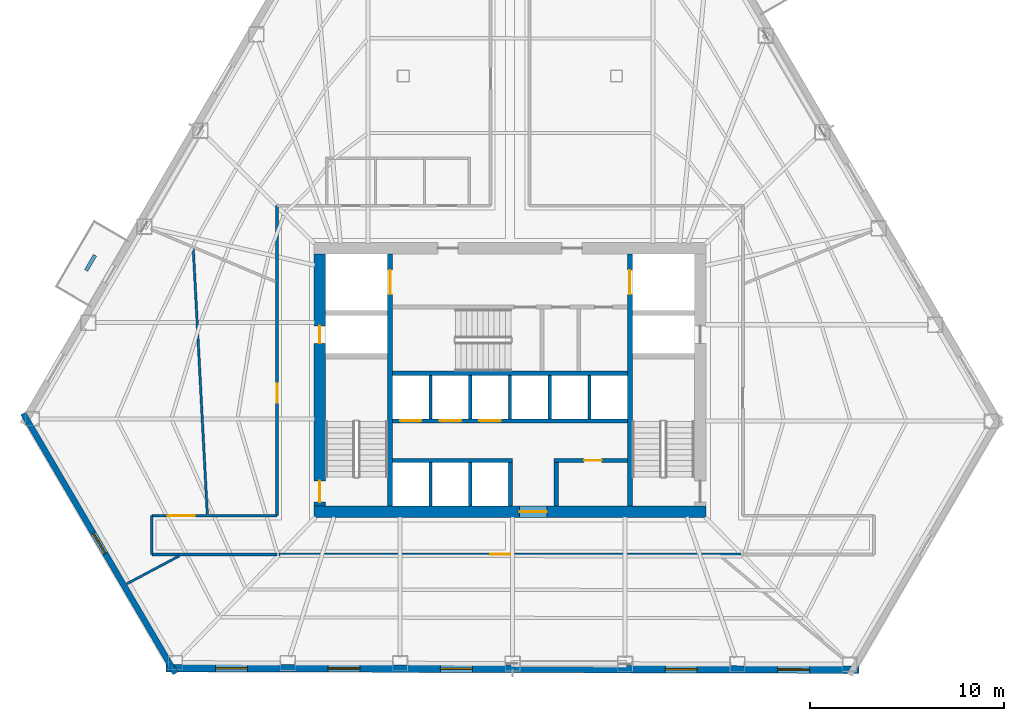
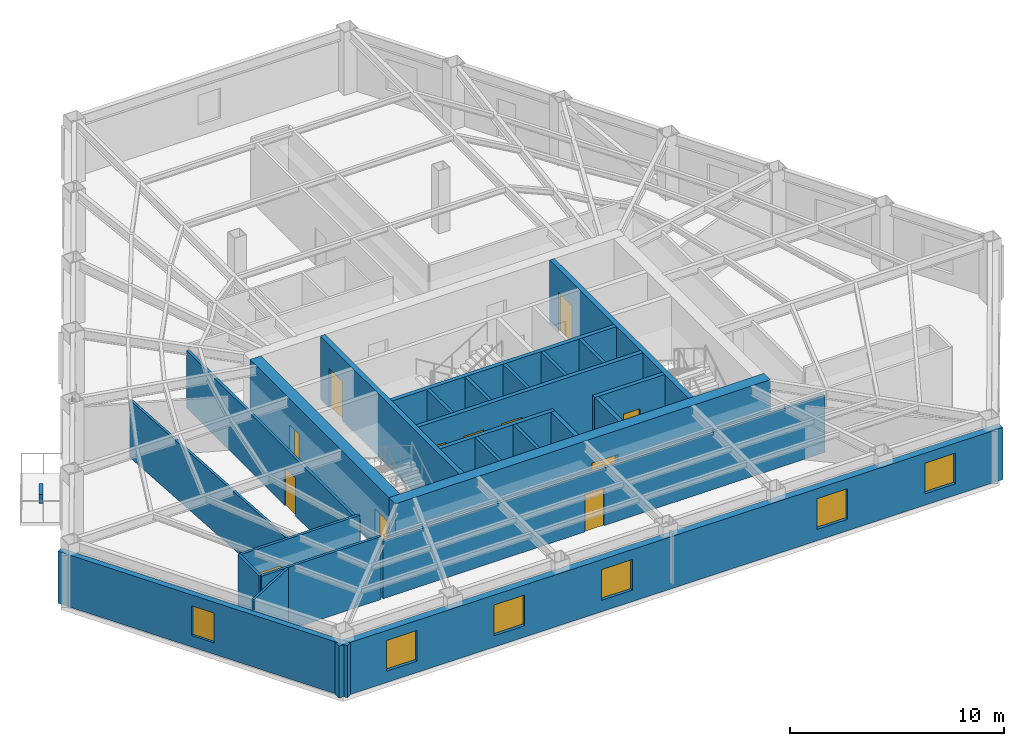
# One storey, part 6 of 11: 27 walls, 12 doors, 6 windows, 18 openings.
"""IFC4 building model written with IfcOpenShell, lengths in metres."""

from ifc_helpers import new_model, si_unit, direction, frame, frame_2d, origin, place, context, subcontext, project, spatial, rectangle, extrude, material, layer, layer_set, type_object, element, fill, save


model = new_model("IFC4")

# Units and contexts
model_context = context("Model", 3, precision=1e-05, world=origin(), true_north=direction((0.0, 1.0)))
body_context = subcontext(model_context, "Body", "Model", "MODEL_VIEW")
ifc_project = project(units=[si_unit("LENGTHUNIT", "METRE"), si_unit("AREAUNIT", "SQUARE_METRE"), si_unit("VOLUMEUNIT", "CUBIC_METRE"), si_unit("PLANEANGLEUNIT", "RADIAN"), si_unit("MASSUNIT", "GRAM", prefix="KILO")], contexts=[model_context])

# Site, building, storey
site_placement = place(None, origin())
site = spatial("IfcSite", under=ifc_project, at=site_placement, CompositionType="ELEMENT")
building_placement = place(site_placement, origin())
building = spatial("IfcBuilding", under=site, at=building_placement, Name="Kavelnor Concourse Tower", CompositionType="ELEMENT")
storey_placement = place(building_placement, frame((0.0, 0.0, 56.050048828125)))
storey = spatial("IfcBuildingStorey", under=building, at=storey_placement, Name="L14", CompositionType="ELEMENT", Elevation=56.050048828125)

# Wall, opening, door
ifc_material_1 = material(Name="Concrete C60/75", Category="concrete")
ifc_layer_1 = layer(ifc_material_1, 0.60009765625, Name="Concrete C60/75")
ifc_layer_set_1 = layer_set([ifc_layer_1], Name="Concrete C60/75")
wall_type_1 = type_object("IfcWallType", Name="WL-CORE-Z1-600", PredefinedType="SOLIDWALL", material=ifc_layer_set_1)
wall_1_placement = place(storey_placement, frame((27.8798828125, 9.300048828125, 0.0), z_axis=(0.0, 0.0, 1.0), x_axis=(1.0, 0.0, 0.0)))
wall_1 = element("IfcWall", 1, at=wall_1_placement, inside=storey, type_object=wall_type_1, Name="L14 Central Core South Shear Wall", PredefinedType="SOLIDWALL", context=body_context, shape_type="SweptSolid", body=[
    extrude(rectangle(XDim=20.240234375, YDim=0.60009765625, at=frame_2d((10.1201171875, 0.0))), origin(), (0.0, 0.0, 1.0), 3.58984375),
])
opening_1_placement = place(wall_1_placement, frame((10.6201171875, 0.0, 0.0)))
opening_1 = element("IfcOpeningElement", 2, at=opening_1_placement, cuts=wall_1, Name="Opening SD-140", PredefinedType="OPENING", context=body_context, shape_type="SweptSolid", body=[
    extrude(rectangle(XDim=1.39990234375, YDim=2.199951171875, at=frame_2d((0.699951171875, 1.10009765625))), frame((0.0, 0.31005859375, 0.0), z_axis=(0.0, -1.0, 0.0), x_axis=(1.0, 0.0, 0.0)), (0.0, 0.0, 1.0), 0.6201171875),
])
ifc_material_2 = material(Name="Solid-core hardwood timber", Category="wood")
door_type_1 = type_object("IfcDoorType", Name="DR-SUITE-ENTRY-1400", OperationType="NOTDEFINED", PredefinedType="DOOR", material=ifc_material_2)
door_1_placement = place(opening_1_placement, origin())
door_1 = element("IfcDoor", 3, at=door_1_placement, inside=storey, type_object=door_type_1, Name="L14 Passenger Lift Lobby Entry Door", OperationType="SINGLE_SWING_LEFT", OverallHeight=2.199951171875, OverallWidth=1.39990234375, PredefinedType="DOOR", context=body_context, shape_type="SweptSolid", body=[
    extrude(rectangle(XDim=1.39990234375, YDim=2.199951171875, at=frame_2d((0.699951171875, 1.10009765625))), frame((0.0, 0.02490234375, 0.0), z_axis=(0.0, -1.0, 0.0), x_axis=(1.0, 0.0, 0.0)), (0.0, 0.0, 1.0), 0.050048828125),
])
fill(opening_1, door_1)

# Wall, openings, doors
wall_2_placement = place(storey_placement, frame((28.179931640625, 9.60009765625, 0.0), z_axis=(0.0, 0.0, 1.0), x_axis=(0.0, 1.0, 0.0)))
wall_2 = element("IfcWall", 4, at=wall_2_placement, inside=storey, type_object=wall_type_1, Name="L14 Central Core West Shear Wall", PredefinedType="SOLIDWALL", context=body_context, shape_type="SweptSolid", body=[
    extrude(rectangle(XDim=13.0, YDim=0.60009765625, at=frame_2d((6.5, 0.0))), origin(), (0.0, 0.0, 1.0), 3.58984375),
])
opening_2_placement = place(wall_2_placement, frame((0.199951171875, 0.0, 0.0)))
opening_2 = element("IfcOpeningElement", 5, at=opening_2_placement, cuts=wall_2, Name="Opening FD-110", PredefinedType="OPENING", context=body_context, shape_type="SweptSolid", body=[
    extrude(rectangle(XDim=1.10009765625, YDim=2.14990234375, at=frame_2d((0.550048828125, 1.074951171875))), frame((0.0, 0.31005859375, 0.0), z_axis=(0.0, -1.0, 0.0), x_axis=(1.0, 0.0, 0.0)), (0.0, 0.0, 1.0), 0.6201171875),
])
opening_3_placement = place(wall_2_placement, frame((8.39990234375, 0.0, 0.0)))
opening_3 = element("IfcOpeningElement", 6, at=opening_3_placement, cuts=wall_2, Name="Opening FD-090", PredefinedType="OPENING", context=body_context, shape_type="SweptSolid", body=[
    extrude(rectangle(XDim=0.89990234375, YDim=2.10009765625, at=frame_2d((0.449951171875, 1.050048828125))), frame((0.0, 0.31005859375, 0.0), z_axis=(0.0, -1.0, 0.0), x_axis=(1.0, 0.0, 0.0)), (0.0, 0.0, 1.0), 0.6201171875),
])
ifc_material_3 = material(Name="Steel Grade 350", Category="steel")
door_type_2 = type_object("IfcDoorType", Name="DR-RISER-FIRE-900", OperationType="NOTDEFINED", PredefinedType="DOOR", material=ifc_material_3)
door_2_placement = place(opening_3_placement, origin())
door_2 = element("IfcDoor", 7, at=door_2_placement, inside=storey, type_object=door_type_2, Name="L14 West Riser Access Door", OperationType="SINGLE_SWING_RIGHT", OverallHeight=2.10009765625, OverallWidth=0.89990234375, PredefinedType="DOOR", context=body_context, shape_type="SweptSolid", body=[
    extrude(rectangle(XDim=0.89990234375, YDim=2.10009765625, at=frame_2d((0.449951171875, 1.050048828125))), frame((0.0, 0.02490234375, 0.0), z_axis=(0.0, -1.0, 0.0), x_axis=(1.0, 0.0, 0.0)), (0.0, 0.0, 1.0), 0.050048828125),
])
fill(opening_3, door_2)
door_type_3 = type_object("IfcDoorType", Name="DR-STAIR-FIRE-1100", OperationType="NOTDEFINED", PredefinedType="DOOR", material=ifc_material_3)
door_3_placement = place(opening_2_placement, origin())
door_3 = element("IfcDoor", 8, at=door_3_placement, inside=storey, type_object=door_type_3, Name="L14 Stair ST1 Fire Door", OperationType="SINGLE_SWING_LEFT", OverallHeight=2.14990234375, OverallWidth=1.10009765625, PredefinedType="DOOR", context=body_context, shape_type="SweptSolid", body=[
    extrude(rectangle(XDim=1.10009765625, YDim=2.14990234375, at=frame_2d((0.550048828125, 1.074951171875))), frame((0.0, 0.02490234375, 0.0), z_axis=(0.0, -1.0, 0.0), x_axis=(1.0, 0.0, 0.0)), (0.0, 0.0, 1.0), 0.050048828125),
])
fill(opening_2, door_3)

# Wall, opening, window
ifc_material_4 = material(Name="Buff ironspot clay face brick masonry", Category="masonry")
ifc_layer_2 = layer(ifc_material_4, 0.300048828125, Name="Buff ironspot clay face brick masonry")
ifc_layer_set_2 = layer_set([ifc_layer_2], Name="Buff ironspot clay face brick masonry")
wall_type_2 = type_object("IfcWallType", Name="WL-EXT-BUFF-BRICK-FOLD-300", PredefinedType="STANDARD", material=ifc_layer_set_2)
wall_3_placement = place(storey_placement, frame((20.730224609375, 0.956787109375, 0.0), z_axis=(0.0, 0.0, 1.0), x_axis=(-0.5053057827, 0.86294036061, 0.0)))
wall_3 = element("IfcWall", 9, at=wall_3_placement, inside=storey, type_object=wall_type_2, Name="L14 Exterior Brick Facade Wall E2", PredefinedType="STANDARD", context=body_context, shape_type="SweptSolid", body=[
    extrude(rectangle(XDim=15.5556640625, YDim=0.300048828125, at=frame_2d((7.77783203125, 0.0))), origin(), (0.0, 0.0, 1.0), 2.969970703125),
])
opening_4_placement = place(wall_3_placement, frame((7.177978515625, 0.0, 0.64990234375)))
opening_4 = element("IfcOpeningElement", 10, at=opening_4_placement, cuts=wall_3, Name="Opening W-05", PredefinedType="OPENING", context=body_context, shape_type="SweptSolid", body=[
    extrude(rectangle(XDim=1.199951171875, YDim=1.699951171875, at=frame_2d((0.60009765625, 0.85009765625))), frame((0.0, 0.16015625, 0.0), z_axis=(0.0, -1.0, 0.0), x_axis=(1.0, 0.0, 0.0)), (0.0, 0.0, 1.0), 0.320068359375),
])
ifc_material_5 = material(Name="Double low-E argon insulated glazing", Category="glass")
window_type_1 = type_object("IfcWindowType", Name="WIN-FOLD-1200", PartitioningType="SINGLE_PANEL", PredefinedType="WINDOW", material=ifc_material_5)
window_1_placement = place(opening_4_placement, origin())
window_1 = element("IfcWindow", 11, at=window_1_placement, inside=storey, type_object=window_type_1, Name="L14 Chamfer-Fold Facet Window C1", OverallHeight=1.699951171875, OverallWidth=1.199951171875, PartitioningType="SINGLE_PANEL", PredefinedType="WINDOW", context=body_context, shape_type="SweptSolid", body=[
    extrude(rectangle(XDim=1.199951171875, YDim=1.699951171875, at=frame_2d((0.60009765625, 0.85009765625))), frame((0.0, 0.030029296875, 0.0), z_axis=(0.0, -1.0, 0.0), x_axis=(1.0, 0.0, 0.0)), (0.0, 0.0, 1.0), 0.06005859375),
])
fill(opening_4, window_1)

# Wall, openings, windows
ifc_material_6 = material(Name="Red-ochre clay face brick masonry", Category="masonry")
ifc_layer_3 = layer(ifc_material_6, 0.3798828125, Name="Red-ochre clay face brick masonry")
ifc_layer_set_3 = layer_set([ifc_layer_3], Name="Red-ochre clay face brick masonry")
wall_type_3 = type_object("IfcWallType", Name="WL-EXT-RED-BRICK-PIER-380", PredefinedType="STANDARD", material=ifc_layer_set_3)
wall_4_placement = place(storey_placement, frame((56.021484375, 1.1494140625, 0.0), z_axis=(0.0, 0.0, 1.0), x_axis=(-0.999997228104, 0.00235452441, 0.0)))
wall_4 = element("IfcWall", 12, at=wall_4_placement, inside=storey, type_object=wall_type_3, Name="L14 Exterior Brick Facade Wall E3", PredefinedType="STANDARD", context=body_context, shape_type="SweptSolid", body=[
    extrude(rectangle(XDim=35.77294921875, YDim=0.3798828125, at=frame_2d((17.886474609375, 0.0))), origin(), (0.0, 0.0, 1.0), 2.969970703125),
])
opening_5_placement = place(wall_4_placement, frame((31.57177734375, 0.0, 0.64990234375)))
opening_5 = element("IfcOpeningElement", 13, at=opening_5_placement, cuts=wall_4, Name="Opening W-01", PredefinedType="OPENING", context=body_context, shape_type="SweptSolid", body=[
    extrude(rectangle(XDim=1.64990234375, YDim=1.75, at=frame_2d((0.824951171875, 0.875))), frame((0.0, 0.199951171875, 0.0), z_axis=(0.0, -1.0, 0.0), x_axis=(1.0, 0.0, 0.0)), (0.0, 0.0, 1.0), 0.39990234375),
])
opening_6_placement = place(wall_4_placement, frame((25.768310546875, 0.0, 0.64990234375)))
opening_6 = element("IfcOpeningElement", 14, at=opening_6_placement, cuts=wall_4, Name="Opening W-01", PredefinedType="OPENING", context=body_context, shape_type="SweptSolid", body=[
    extrude(rectangle(XDim=1.64990234375, YDim=1.75, at=frame_2d((0.824951171875, 0.875))), frame((0.0, 0.199951171875, 0.0), z_axis=(0.0, -1.0, 0.0), x_axis=(1.0, 0.0, 0.0)), (0.0, 0.0, 1.0), 0.39990234375),
])
opening_7_placement = place(wall_4_placement, frame((19.96435546875, 0.0, 0.64990234375)))
opening_7 = element("IfcOpeningElement", 15, at=opening_7_placement, cuts=wall_4, Name="Opening W-01", PredefinedType="OPENING", context=body_context, shape_type="SweptSolid", body=[
    extrude(rectangle(XDim=1.64990234375, YDim=1.75, at=frame_2d((0.824951171875, 0.875))), frame((0.0, 0.199951171875, 0.0), z_axis=(0.0, -1.0, 0.0), x_axis=(1.0, 0.0, 0.0)), (0.0, 0.0, 1.0), 0.39990234375),
])
opening_8_placement = place(wall_4_placement, frame((8.357177734375, 0.0, 0.64990234375)))
opening_8 = element("IfcOpeningElement", 16, at=opening_8_placement, cuts=wall_4, Name="Opening W-01", PredefinedType="OPENING", context=body_context, shape_type="SweptSolid", body=[
    extrude(rectangle(XDim=1.64990234375, YDim=1.75, at=frame_2d((0.824951171875, 0.875))), frame((0.0, 0.199951171875, 0.0), z_axis=(0.0, -1.0, 0.0), x_axis=(1.0, 0.0, 0.0)), (0.0, 0.0, 1.0), 0.39990234375),
])
opening_9_placement = place(wall_4_placement, frame((2.553466796875, 0.0, 0.64990234375)))
opening_9 = element("IfcOpeningElement", 17, at=opening_9_placement, cuts=wall_4, Name="Opening W-01", PredefinedType="OPENING", context=body_context, shape_type="SweptSolid", body=[
    extrude(rectangle(XDim=1.64990234375, YDim=1.75, at=frame_2d((0.824951171875, 0.875))), frame((0.0, 0.199951171875, 0.0), z_axis=(0.0, -1.0, 0.0), x_axis=(1.0, 0.0, 0.0)), (0.0, 0.0, 1.0), 0.39990234375),
])
window_type_2 = type_object("IfcWindowType", Name="WIN-PIER-Z1-1800", PartitioningType="SINGLE_PANEL", PredefinedType="WINDOW", material=ifc_material_5)
window_2_placement = place(opening_5_placement, origin())
window_2 = element("IfcWindow", 18, at=window_2_placement, inside=storey, type_object=window_type_2, Name="L14 Deep-Set Brick Pier Window F1-B0", OverallHeight=1.75, OverallWidth=1.64990234375, PartitioningType="SINGLE_PANEL", PredefinedType="WINDOW", context=body_context, shape_type="SweptSolid", body=[
    extrude(rectangle(XDim=1.64990234375, YDim=1.75, at=frame_2d((0.824951171875, 0.875))), frame((0.0, 0.030029296875, 0.0), z_axis=(0.0, -1.0, 0.0), x_axis=(1.0, 0.0, 0.0)), (0.0, 0.0, 1.0), 0.06005859375),
])
fill(opening_5, window_2)
window_3_placement = place(opening_6_placement, origin())
window_3 = element("IfcWindow", 19, at=window_3_placement, inside=storey, type_object=window_type_2, Name="L14 Deep-Set Brick Pier Window F1-B1", OverallHeight=1.75, OverallWidth=1.64990234375, PartitioningType="SINGLE_PANEL", PredefinedType="WINDOW", context=body_context, shape_type="SweptSolid", body=[
    extrude(rectangle(XDim=1.64990234375, YDim=1.75, at=frame_2d((0.824951171875, 0.875))), frame((0.0, 0.030029296875, 0.0), z_axis=(0.0, -1.0, 0.0), x_axis=(1.0, 0.0, 0.0)), (0.0, 0.0, 1.0), 0.06005859375),
])
fill(opening_6, window_3)
window_4_placement = place(opening_7_placement, origin())
window_4 = element("IfcWindow", 20, at=window_4_placement, inside=storey, type_object=window_type_2, Name="L14 Deep-Set Brick Pier Window F1-B2", OverallHeight=1.75, OverallWidth=1.64990234375, PartitioningType="SINGLE_PANEL", PredefinedType="WINDOW", context=body_context, shape_type="SweptSolid", body=[
    extrude(rectangle(XDim=1.64990234375, YDim=1.75, at=frame_2d((0.824951171875, 0.875))), frame((0.0, 0.030029296875, 0.0), z_axis=(0.0, -1.0, 0.0), x_axis=(1.0, 0.0, 0.0)), (0.0, 0.0, 1.0), 0.06005859375),
])
fill(opening_7, window_4)
window_5_placement = place(opening_8_placement, origin())
window_5 = element("IfcWindow", 21, at=window_5_placement, inside=storey, type_object=window_type_2, Name="L14 Deep-Set Brick Pier Window F1-B4", OverallHeight=1.75, OverallWidth=1.64990234375, PartitioningType="SINGLE_PANEL", PredefinedType="WINDOW", context=body_context, shape_type="SweptSolid", body=[
    extrude(rectangle(XDim=1.64990234375, YDim=1.75, at=frame_2d((0.824951171875, 0.875))), frame((0.0, 0.030029296875, 0.0), z_axis=(0.0, -1.0, 0.0), x_axis=(1.0, 0.0, 0.0)), (0.0, 0.0, 1.0), 0.06005859375),
])
fill(opening_8, window_5)
window_6_placement = place(opening_9_placement, origin())
window_6 = element("IfcWindow", 22, at=window_6_placement, inside=storey, type_object=window_type_2, Name="L14 Deep-Set Brick Pier Window F1-B5", OverallHeight=1.75, OverallWidth=1.64990234375, PartitioningType="SINGLE_PANEL", PredefinedType="WINDOW", context=body_context, shape_type="SweptSolid", body=[
    extrude(rectangle(XDim=1.64990234375, YDim=1.75, at=frame_2d((0.824951171875, 0.875))), frame((0.0, 0.030029296875, 0.0), z_axis=(0.0, -1.0, 0.0), x_axis=(1.0, 0.0, 0.0)), (0.0, 0.0, 1.0), 0.06005859375),
])
fill(opening_9, window_6)

# Wall, opening, door
ifc_material_7 = material(Name="Gypsum plasterboard on light-gauge steel studs", Category="steel")
ifc_layer_4 = layer(ifc_material_7, 0.14501953125, Name="Gypsum plasterboard on light-gauge steel studs")
ifc_layer_set_4 = layer_set([ifc_layer_4], Name="Gypsum plasterboard on light-gauge steel studs")
wall_type_4 = type_object("IfcWallType", Name="WL-INT-CORR-145", PredefinedType="PARTITIONING", material=ifc_layer_set_4)
wall_5_placement = place(storey_placement, frame((19.5078125, 9.10009765625, 0.0), z_axis=(0.0, 0.0, 1.0), x_axis=(1.0, 0.0, 0.0)))
wall_5 = element("IfcWall", 23, at=wall_5_placement, inside=storey, type_object=wall_type_4, Name="L14 Corridor Wall WL-L14-CR-01", PredefinedType="PARTITIONING", context=body_context, shape_type="SweptSolid", body=[
    extrude(rectangle(XDim=6.47216796875, YDim=0.14501953125, at=frame_2d((3.236083984375, 0.0))), origin(), (0.0, 0.0, 1.0), 3.58984375),
])
opening_10_placement = place(wall_5_placement, frame((0.8212890625, 0.0, 0.0)))
opening_10 = element("IfcOpeningElement", 24, at=opening_10_placement, cuts=wall_5, Name="Opening SD-140", PredefinedType="OPENING", context=body_context, shape_type="SweptSolid", body=[
    extrude(rectangle(XDim=1.39990234375, YDim=2.199951171875, at=frame_2d((0.699951171875, 1.10009765625))), frame((0.0, 0.08251953125, 0.0), z_axis=(0.0, -1.0, 0.0), x_axis=(1.0, 0.0, 0.0)), (0.0, 0.0, 1.0), 0.1650390625),
])
door_4_placement = place(opening_10_placement, origin())
door_4 = element("IfcDoor", 25, at=door_4_placement, inside=storey, type_object=door_type_1, Name="L14 Workplace Open Office 03 Door", OperationType="SINGLE_SWING_RIGHT", OverallHeight=2.199951171875, OverallWidth=1.39990234375, PredefinedType="DOOR", context=body_context, shape_type="SweptSolid", body=[
    extrude(rectangle(XDim=1.39990234375, YDim=2.199951171875, at=frame_2d((0.699951171875, 1.10009765625))), frame((0.0, 0.02490234375, 0.0), z_axis=(0.0, -1.0, 0.0), x_axis=(1.0, 0.0, 0.0)), (0.0, 0.0, 1.0), 0.050048828125),
])
fill(opening_10, door_4)

wall_6_placement = place(storey_placement, frame((25.97998046875, 9.10009765625, 0.0), z_axis=(0.0, 0.0, 1.0), x_axis=(0.0, 1.0, 0.0)))
wall_6 = element("IfcWall", 26, at=wall_6_placement, inside=storey, type_object=wall_type_4, Name="L14 Corridor Wall WL-L14-CR-02", PredefinedType="PARTITIONING", context=body_context, shape_type="SweptSolid", body=[
    extrude(rectangle(XDim=16.0, YDim=0.14501953125, at=frame_2d((8.0, 0.0))), origin(), (0.0, 0.0, 1.0), 3.27783203125),
])
opening_11_placement = place(wall_6_placement, frame((5.83251953125, 0.0, 0.0)))
opening_11 = element("IfcOpeningElement", 27, at=opening_11_placement, cuts=wall_6, Name="Opening OD-098", PredefinedType="OPENING", context=body_context, shape_type="SweptSolid", body=[
    extrude(rectangle(XDim=0.97998046875, YDim=2.14990234375, at=frame_2d((0.489990234375, 1.074951171875))), frame((0.0, 0.08251953125, 0.0), z_axis=(0.0, -1.0, 0.0), x_axis=(1.0, 0.0, 0.0)), (0.0, 0.0, 1.0), 0.1650390625),
])
door_type_4 = type_object("IfcDoorType", Name="DR-OFFICE-980", OperationType="NOTDEFINED", PredefinedType="DOOR", material=ifc_material_2)
door_5_placement = place(opening_11_placement, origin())
door_5 = element("IfcDoor", 28, at=door_5_placement, inside=storey, type_object=door_type_4, Name="L14 Executive Dining Room 02 Door", OperationType="SINGLE_SWING_LEFT", OverallHeight=2.14990234375, OverallWidth=0.97998046875, PredefinedType="DOOR", context=body_context, shape_type="SweptSolid", body=[
    extrude(rectangle(XDim=0.97998046875, YDim=2.14990234375, at=frame_2d((0.489990234375, 1.074951171875))), frame((0.0, 0.02490234375, 0.0), z_axis=(0.0, -1.0, 0.0), x_axis=(1.0, 0.0, 0.0)), (0.0, 0.0, 1.0), 0.050048828125),
])
fill(opening_11, door_5)

wall_7_placement = place(storey_placement, frame((49.919921875, 7.10009765625, 0.0), z_axis=(0.0, 0.0, 1.0), x_axis=(-1.0, 0.0, 0.0)))
wall_7 = element("IfcWall", 29, at=wall_7_placement, inside=storey, type_object=wall_type_4, Name="L14 Corridor Wall WL-L14-CR-12", PredefinedType="PARTITIONING", context=body_context, shape_type="SweptSolid", body=[
    extrude(rectangle(XDim=23.83984375, YDim=0.14501953125, at=frame_2d((11.919921875, 0.0))), origin(), (0.0, 0.0, 1.0), 3.27783203125),
])
opening_12_placement = place(wall_7_placement, frame((11.90966796875, 0.0, 0.0)))
opening_12 = element("IfcOpeningElement", 30, at=opening_12_placement, cuts=wall_7, Name="Opening MD-102", PredefinedType="OPENING", context=body_context, shape_type="SweptSolid", body=[
    extrude(rectangle(XDim=1.02001953125, YDim=2.14990234375, at=frame_2d((0.510009765625, 1.074951171875))), frame((0.0, 0.08251953125, 0.0), z_axis=(0.0, -1.0, 0.0), x_axis=(1.0, 0.0, 0.0)), (0.0, 0.0, 1.0), 0.1650390625),
])
ifc_material_8 = material(Name="Acoustic glazed timber frame", Category="wood")
door_type_5 = type_object("IfcDoorType", Name="DR-MEETING-1020", OperationType="NOTDEFINED", PredefinedType="DOOR", material=ifc_material_8)
door_6_placement = place(opening_12_placement, origin())
door_6 = element("IfcDoor", 31, at=door_6_placement, inside=storey, type_object=door_type_5, Name="L14 Client Boardroom 04 Door", OperationType="SINGLE_SWING_LEFT", OverallHeight=2.14990234375, OverallWidth=1.02001953125, PredefinedType="DOOR", context=body_context, shape_type="SweptSolid", body=[
    extrude(rectangle(XDim=1.02001953125, YDim=2.14990234375, at=frame_2d((0.510009765625, 1.074951171875))), frame((0.0, 0.02490234375, 0.0), z_axis=(0.0, -1.0, 0.0), x_axis=(1.0, 0.0, 0.0)), (0.0, 0.0, 1.0), 0.050048828125),
])
fill(opening_12, door_6)

# Walls
wall_8_placement = place(storey_placement, frame((25.97998046875, 7.10009765625, 0.0), z_axis=(0.0, 0.0, 1.0), x_axis=(-1.0, 0.0, 0.0)))
element("IfcWall", 32, at=wall_8_placement, inside=storey, type_object=wall_type_4, Name="L14 Corridor Wall WL-L14-CR-13", PredefinedType="PARTITIONING", context=body_context, shape_type="SweptSolid", body=[
    extrude(rectangle(XDim=6.47216796875, YDim=0.14501953125, at=frame_2d((3.236083984375, 0.0))), origin(), (0.0, 0.0, 1.0), 3.58984375),
])
wall_9_placement = place(storey_placement, frame((19.5078125, 7.10009765625, 0.0), z_axis=(0.0, 0.0, 1.0), x_axis=(0.0, 1.0, 0.0)))
element("IfcWall", 33, at=wall_9_placement, inside=storey, type_object=wall_type_4, Name="L14 Corridor Wall WL-L14-CR-14", PredefinedType="PARTITIONING", context=body_context, shape_type="SweptSolid", body=[
    extrude(rectangle(XDim=2.0, YDim=0.14501953125, at=frame_2d((1.0, 0.0))), origin(), (0.0, 0.0, 1.0), 3.58984375),
])
ifc_layer_5 = layer(ifc_material_7, 0.1650390625, Name="Gypsum plasterboard on light-gauge steel studs")
ifc_layer_set_5 = layer_set([ifc_layer_5], Name="Gypsum plasterboard on light-gauge steel studs")
wall_type_5 = type_object("IfcWallType", Name="WL-INT-FIRE-165", PredefinedType="PARTITIONING", material=ifc_layer_set_5)
for number, where, z_axis, x_axis, name in (
    (34, (33.89990234375, 9.60009765625, 0.0), (0.0, 0.0, 1.0), (0.0, 1.0, 0.0), "L14 Lift Shaft Divider LP7"),
    (35, (35.949951171875, 9.60009765625, 0.0), (0.0, 0.0, 1.0), (0.0, 1.0, 0.0), "L14 Lift Shaft Divider LP8"),
    (36, (33.89990234375, 14.10009765625, 0.0), (0.0, 0.0, 1.0), (0.0, 1.0, 0.0), "L14 Lift Shaft Divider LP1"),
    (37, (35.949951171875, 14.10009765625, 0.0), (0.0, 0.0, 1.0), (0.0, 1.0, 0.0), "L14 Lift Shaft Divider LP2"),
    (38, (38.0, 14.10009765625, 0.0), (0.0, 0.0, 1.0), (0.0, 1.0, 0.0), "L14 Lift Shaft Divider LP3"),
    (39, (40.050048828125, 14.10009765625, 0.0), (0.0, 0.0, 1.0), (0.0, 1.0, 0.0), "L14 Lift Shaft Divider LP4"),
    (40, (42.10009765625, 14.10009765625, 0.0), (0.0, 0.0, 1.0), (0.0, 1.0, 0.0), "L14 Lift Shaft Divider LP5"),
):
    element("IfcWall", number, at=place(storey_placement, frame(where, z_axis=z_axis, x_axis=x_axis)), inside=storey, type_object=wall_type_5, Name=name, PredefinedType="PARTITIONING", context=body_context, shape_type="SweptSolid", body=[
        extrude(rectangle(XDim=2.239990234375, YDim=0.1650390625, at=frame_2d((1.1201171875, 0.0))), origin(), (0.0, 0.0, 1.0), 3.58984375),
    ])
ifc_layer_6 = layer(ifc_material_7, 0.125, Name="Gypsum plasterboard on light-gauge steel studs")
ifc_layer_set_6 = layer_set([ifc_layer_6], Name="Gypsum plasterboard on light-gauge steel studs")
wall_type_6 = type_object("IfcWallType", Name="WL-INT-SUITE-125", PredefinedType="PARTITIONING", material=ifc_layer_set_6)
wall_10_placement = place(storey_placement, frame((20.922119140625, 7.01953125, 0.0), z_axis=(0.0, 0.0, 1.0), x_axis=(-0.882949174281, -0.469468588551, 0.0)))
element("IfcWall", 41, at=wall_10_placement, inside=storey, type_object=wall_type_6, Name="L14 Radial Suite Partition 03", PredefinedType="PARTITIONING", context=body_context, shape_type="SweptSolid", body=[
    extrude(rectangle(XDim=3.056884765625, YDim=0.125, at=frame_2d((1.5283203125, 0.0))), origin(), (0.0, 0.0, 1.0), 3.58984375),
])
wall_11_placement = place(storey_placement, frame((21.646728515625, 22.94775390625, 0.0), z_axis=(0.0, 0.0, 1.0), x_axis=(0.052754018436, -0.998607537293, 0.0)))
element("IfcWall", 42, at=wall_11_placement, inside=storey, type_object=wall_type_6, Name="L14 Suite Subdivision Partition 02", PredefinedType="PARTITIONING", context=body_context, shape_type="SweptSolid", body=[
    extrude(rectangle(XDim=13.78662109375, YDim=0.125, at=frame_2d((6.893310546875, 0.0))), origin(), (0.0, 0.0, 1.0), 3.27783203125),
])
ifc_material_9 = material(Name="Architectural precast planter concrete C40/50", Category="concrete")
ifc_layer_7 = layer(ifc_material_9, 0.18994140625, Name="Architectural precast planter concrete C40/50")
ifc_layer_set_7 = layer_set([ifc_layer_7], Name="Architectural precast planter concrete C40/50")
wall_type_7 = type_object("IfcWallType", Name="WL-PLANTER-KERB-190", PredefinedType="USERDEFINED", material=ifc_layer_set_7)
wall_12_placement = place(storey_placement, frame((16.5771484375, 22.5419921875, 0.0), z_axis=(0.0, 0.0, 1.0), x_axis=(-0.503280491755, -0.864123108485, 0.0)))
element("IfcWall", 43, at=wall_12_placement, inside=storey, type_object=wall_type_7, Name="L14 Tree Balcony 2 Tree Planter Kerb", ObjectType="PLANTER", PredefinedType="USERDEFINED", context=body_context, shape_type="SweptSolid", body=[
    extrude(rectangle(XDim=0.89990234375, YDim=0.18994140625, at=frame_2d((0.449951171875, 0.0))), origin(), (0.0, 0.0, 1.0), 0.5),
])
ifc_material_10 = material(Name="Concrete C50/60", Category="concrete")
ifc_layer_8 = layer(ifc_material_10, 0.219970703125, Name="Concrete C50/60")
ifc_layer_set_8 = layer_set([ifc_layer_8], Name="Concrete C50/60")
wall_type_8 = type_object("IfcWallType", Name="WL-SHAFT-220", PredefinedType="SOLIDWALL", material=ifc_layer_set_8)
wall_13_placement = place(storey_placement, frame((31.93994140625, 16.449951171875, 0.0), z_axis=(0.0, 0.0, 1.0), x_axis=(1.0, 0.0, 0.0)))
element("IfcWall", 44, at=wall_13_placement, inside=storey, type_object=wall_type_8, Name="L14 Stair ST3 South Core Wall", PredefinedType="SOLIDWALL", context=body_context, shape_type="SweptSolid", body=[
    extrude(rectangle(XDim=12.1201171875, YDim=0.219970703125, at=frame_2d((6.06005859375, 0.0))), origin(), (0.0, 0.0, 1.0), 3.58984375),
])

# Wall, openings, doors
wall_14_placement = place(storey_placement, frame((31.93994140625, 13.989990234375, 0.0), z_axis=(0.0, 0.0, 1.0), x_axis=(1.0, 0.0, 0.0)))
wall_14 = element("IfcWall", 45, at=wall_14_placement, inside=storey, type_object=wall_type_8, Name="L14 North Lift Row Shaft Wall", PredefinedType="SOLIDWALL", context=body_context, shape_type="SweptSolid", body=[
    extrude(rectangle(XDim=12.1201171875, YDim=0.219970703125, at=frame_2d((6.06005859375, 0.0))), origin(), (0.0, 0.0, 1.0), 3.58984375),
])
opening_13_placement = place(wall_14_placement, frame((0.385009765625, 0.0, 0.0)))
opening_13 = element("IfcOpeningElement", 46, at=opening_13_placement, cuts=wall_14, Name="Opening LD-110", PredefinedType="OPENING", context=body_context, shape_type="SweptSolid", body=[
    extrude(rectangle(XDim=1.10009765625, YDim=2.199951171875, at=frame_2d((0.550048828125, 1.10009765625))), frame((0.0, 0.1201171875, 0.0), z_axis=(0.0, -1.0, 0.0), x_axis=(1.0, 0.0, 0.0)), (0.0, 0.0, 1.0), 0.239990234375),
])
opening_14_placement = place(wall_14_placement, frame((2.43505859375, 0.0, 0.0)))
opening_14 = element("IfcOpeningElement", 47, at=opening_14_placement, cuts=wall_14, Name="Opening LD-110", PredefinedType="OPENING", context=body_context, shape_type="SweptSolid", body=[
    extrude(rectangle(XDim=1.10009765625, YDim=2.199951171875, at=frame_2d((0.550048828125, 1.10009765625))), frame((0.0, 0.1201171875, 0.0), z_axis=(0.0, -1.0, 0.0), x_axis=(1.0, 0.0, 0.0)), (0.0, 0.0, 1.0), 0.239990234375),
])
opening_15_placement = place(wall_14_placement, frame((4.485107421875, 0.0, 0.0)))
opening_15 = element("IfcOpeningElement", 48, at=opening_15_placement, cuts=wall_14, Name="Opening LD-110", PredefinedType="OPENING", context=body_context, shape_type="SweptSolid", body=[
    extrude(rectangle(XDim=1.10009765625, YDim=2.199951171875, at=frame_2d((0.550048828125, 1.10009765625))), frame((0.0, 0.1201171875, 0.0), z_axis=(0.0, -1.0, 0.0), x_axis=(1.0, 0.0, 0.0)), (0.0, 0.0, 1.0), 0.239990234375),
])
door_type_6 = type_object("IfcDoorType", Name="DR-LIFT-SLIDING-1100", OperationType="NOTDEFINED", PredefinedType="DOOR", material=ifc_material_3)
door_7_placement = place(opening_13_placement, origin())
door_7 = element("IfcDoor", 49, at=door_7_placement, inside=storey, type_object=door_type_6, Name="L14 Lift LP1 Landing Door", OperationType="DOUBLE_DOOR_SLIDING", OverallHeight=2.199951171875, OverallWidth=1.10009765625, PredefinedType="DOOR", context=body_context, shape_type="SweptSolid", body=[
    extrude(rectangle(XDim=1.10009765625, YDim=2.199951171875, at=frame_2d((0.550048828125, 1.10009765625))), frame((0.0, 0.02490234375, 0.0), z_axis=(0.0, -1.0, 0.0), x_axis=(1.0, 0.0, 0.0)), (0.0, 0.0, 1.0), 0.050048828125),
])
fill(opening_13, door_7)
door_8_placement = place(opening_14_placement, origin())
door_8 = element("IfcDoor", 50, at=door_8_placement, inside=storey, type_object=door_type_6, Name="L14 Lift LP2 Landing Door", OperationType="DOUBLE_DOOR_SLIDING", OverallHeight=2.199951171875, OverallWidth=1.10009765625, PredefinedType="DOOR", context=body_context, shape_type="SweptSolid", body=[
    extrude(rectangle(XDim=1.10009765625, YDim=2.199951171875, at=frame_2d((0.550048828125, 1.10009765625))), frame((0.0, 0.02490234375, 0.0), z_axis=(0.0, -1.0, 0.0), x_axis=(1.0, 0.0, 0.0)), (0.0, 0.0, 1.0), 0.050048828125),
])
fill(opening_14, door_8)
door_9_placement = place(opening_15_placement, origin())
door_9 = element("IfcDoor", 51, at=door_9_placement, inside=storey, type_object=door_type_6, Name="L14 Lift LP3 Landing Door", OperationType="DOUBLE_DOOR_SLIDING", OverallHeight=2.199951171875, OverallWidth=1.10009765625, PredefinedType="DOOR", context=body_context, shape_type="SweptSolid", body=[
    extrude(rectangle(XDim=1.10009765625, YDim=2.199951171875, at=frame_2d((0.550048828125, 1.10009765625))), frame((0.0, 0.02490234375, 0.0), z_axis=(0.0, -1.0, 0.0), x_axis=(1.0, 0.0, 0.0)), (0.0, 0.0, 1.0), 0.050048828125),
])
fill(opening_15, door_9)

# Wall
wall_15_placement = place(storey_placement, frame((31.93994140625, 11.949951171875, 0.0), z_axis=(0.0, 0.0, 1.0), x_axis=(1.0, 0.0, 0.0)))
element("IfcWall", 52, at=wall_15_placement, inside=storey, type_object=wall_type_8, Name="L14 High-Rise Lift Bank North Wall", PredefinedType="SOLIDWALL", context=body_context, shape_type="SweptSolid", body=[
    extrude(rectangle(XDim=6.18994140625, YDim=0.219970703125, at=frame_2d((3.094970703125, 0.0))), origin(), (0.0, 0.0, 1.0), 3.58984375),
])

# Wall, opening, door
wall_16_placement = place(storey_placement, frame((40.280029296875, 11.949951171875, 0.0), z_axis=(0.0, 0.0, 1.0), x_axis=(1.0, 0.0, 0.0)))
wall_16 = element("IfcWall", 53, at=wall_16_placement, inside=storey, type_object=wall_type_8, Name="L14 Core South Support North Wall", PredefinedType="SOLIDWALL", context=body_context, shape_type="SweptSolid", body=[
    extrude(rectangle(XDim=3.780029296875, YDim=0.219970703125, at=frame_2d((1.89013671875, 0.0))), origin(), (0.0, 0.0, 1.0), 3.58984375),
])
opening_16_placement = place(wall_16_placement, frame((1.550048828125, 0.0, 0.0)))
opening_16 = element("IfcOpeningElement", 54, at=opening_16_placement, cuts=wall_16, Name="Opening FD-090", PredefinedType="OPENING", context=body_context, shape_type="SweptSolid", body=[
    extrude(rectangle(XDim=0.89990234375, YDim=2.10009765625, at=frame_2d((0.449951171875, 1.050048828125))), frame((0.0, 0.1201171875, 0.0), z_axis=(0.0, -1.0, 0.0), x_axis=(1.0, 0.0, 0.0)), (0.0, 0.0, 1.0), 0.239990234375),
])
door_10_placement = place(opening_16_placement, origin())
door_10 = element("IfcDoor", 55, at=door_10_placement, inside=storey, type_object=door_type_2, Name="L14 BMS Metering Door", OperationType="SINGLE_SWING_RIGHT", OverallHeight=2.10009765625, OverallWidth=0.89990234375, PredefinedType="DOOR", context=body_context, shape_type="SweptSolid", body=[
    extrude(rectangle(XDim=0.89990234375, YDim=2.10009765625, at=frame_2d((0.449951171875, 1.050048828125))), frame((0.0, 0.02490234375, 0.0), z_axis=(0.0, -1.0, 0.0), x_axis=(1.0, 0.0, 0.0)), (0.0, 0.0, 1.0), 0.050048828125),
])
fill(opening_16, door_10)

# Walls
for number, where, z_axis, x_axis, name in (
    (56, (38.02001953125, 9.60009765625, 0.0), (0.0, 0.0, 1.0), (0.0, 1.0, 0.0), "L14 Lift Lobby Throat West Wall"),
    (57, (40.389892578125, 9.60009765625, 0.0), (0.0, 0.0, 1.0), (0.0, 1.0, 0.0), "L14 Lift Lobby Throat East Wall"),
):
    element("IfcWall", number, at=place(storey_placement, frame(where, z_axis=z_axis, x_axis=x_axis)), inside=storey, type_object=wall_type_8, Name=name, PredefinedType="SOLIDWALL", context=body_context, shape_type="SweptSolid", body=[
        extrude(rectangle(XDim=2.239990234375, YDim=0.219970703125, at=frame_2d((1.1201171875, 0.0))), origin(), (0.0, 0.0, 1.0), 3.58984375),
    ])

# Wall, opening, door
ifc_layer_9 = layer(ifc_material_10, 0.260009765625, Name="Concrete C50/60")
ifc_layer_set_9 = layer_set([ifc_layer_9], Name="Concrete C50/60")
wall_type_9 = type_object("IfcWallType", Name="WL-SHAFT-260", PredefinedType="SHEAR", material=ifc_layer_set_9)
wall_17_placement = place(storey_placement, frame((31.81005859375, 9.60009765625, 0.0), z_axis=(0.0, 0.0, 1.0), x_axis=(0.0, 1.0, 0.0)))
wall_17 = element("IfcWall", 58, at=wall_17_placement, inside=storey, type_object=wall_type_9, Name="L14 Core West Wing Shear Wall", PredefinedType="SHEAR", context=body_context, shape_type="SweptSolid", body=[
    extrude(rectangle(XDim=13.0, YDim=0.260009765625, at=frame_2d((6.5, 0.0))), origin(), (0.0, 0.0, 1.0), 3.58984375),
])
opening_17_placement = place(wall_17_placement, frame((10.925048828125, 0.0, 0.0)))
opening_17 = element("IfcOpeningElement", 59, at=opening_17_placement, cuts=wall_17, Name="Opening LD-125", PredefinedType="OPENING", context=body_context, shape_type="SweptSolid", body=[
    extrude(rectangle(XDim=1.25, YDim=2.25, at=frame_2d((0.625, 1.125))), frame((0.0, 0.14013671875, 0.0), z_axis=(0.0, -1.0, 0.0), x_axis=(1.0, 0.0, 0.0)), (0.0, 0.0, 1.0), 0.280029296875),
])
door_type_7 = type_object("IfcDoorType", Name="DR-LIFT-SLIDING-1250", OperationType="NOTDEFINED", PredefinedType="DOOR", material=ifc_material_3)
door_11_placement = place(opening_17_placement, origin())
door_11 = element("IfcDoor", 60, at=door_11_placement, inside=storey, type_object=door_type_7, Name="L14 Emergency Lift FL1 Landing Door", OperationType="DOUBLE_DOOR_SLIDING", OverallHeight=2.25, OverallWidth=1.25, PredefinedType="DOOR", context=body_context, shape_type="SweptSolid", body=[
    extrude(rectangle(XDim=1.25, YDim=2.25, at=frame_2d((0.625, 1.125))), frame((0.0, 0.02490234375, 0.0), z_axis=(0.0, -1.0, 0.0), x_axis=(1.0, 0.0, 0.0)), (0.0, 0.0, 1.0), 0.050048828125),
])
fill(opening_17, door_11)

wall_18_placement = place(storey_placement, frame((44.18994140625, 9.60009765625, 0.0), z_axis=(0.0, 0.0, 1.0), x_axis=(0.0, 1.0, 0.0)))
wall_18 = element("IfcWall", 61, at=wall_18_placement, inside=storey, type_object=wall_type_9, Name="L14 Core East Wing Shear Wall", PredefinedType="SHEAR", context=body_context, shape_type="SweptSolid", body=[
    extrude(rectangle(XDim=13.0, YDim=0.260009765625, at=frame_2d((6.5, 0.0))), origin(), (0.0, 0.0, 1.0), 3.58984375),
])
opening_18_placement = place(wall_18_placement, frame((10.925048828125, 0.0, 0.0)))
opening_18 = element("IfcOpeningElement", 62, at=opening_18_placement, cuts=wall_18, Name="Opening LD-125", PredefinedType="OPENING", context=body_context, shape_type="SweptSolid", body=[
    extrude(rectangle(XDim=1.25, YDim=2.25, at=frame_2d((0.625, 1.125))), frame((0.0, 0.14013671875, 0.0), z_axis=(0.0, -1.0, 0.0), x_axis=(1.0, 0.0, 0.0)), (0.0, 0.0, 1.0), 0.280029296875),
])
door_12_placement = place(opening_18_placement, origin())
door_12 = element("IfcDoor", 63, at=door_12_placement, inside=storey, type_object=door_type_7, Name="L14 Emergency Lift FL2 Landing Door", OperationType="DOUBLE_DOOR_SLIDING", OverallHeight=2.25, OverallWidth=1.25, PredefinedType="DOOR", context=body_context, shape_type="SweptSolid", body=[
    extrude(rectangle(XDim=1.25, YDim=2.25, at=frame_2d((0.625, 1.125))), frame((0.0, 0.02490234375, 0.0), z_axis=(0.0, -1.0, 0.0), x_axis=(1.0, 0.0, 0.0)), (0.0, 0.0, 1.0), 0.050048828125),
])
fill(opening_18, door_12)

save(model, "model.ifc")
